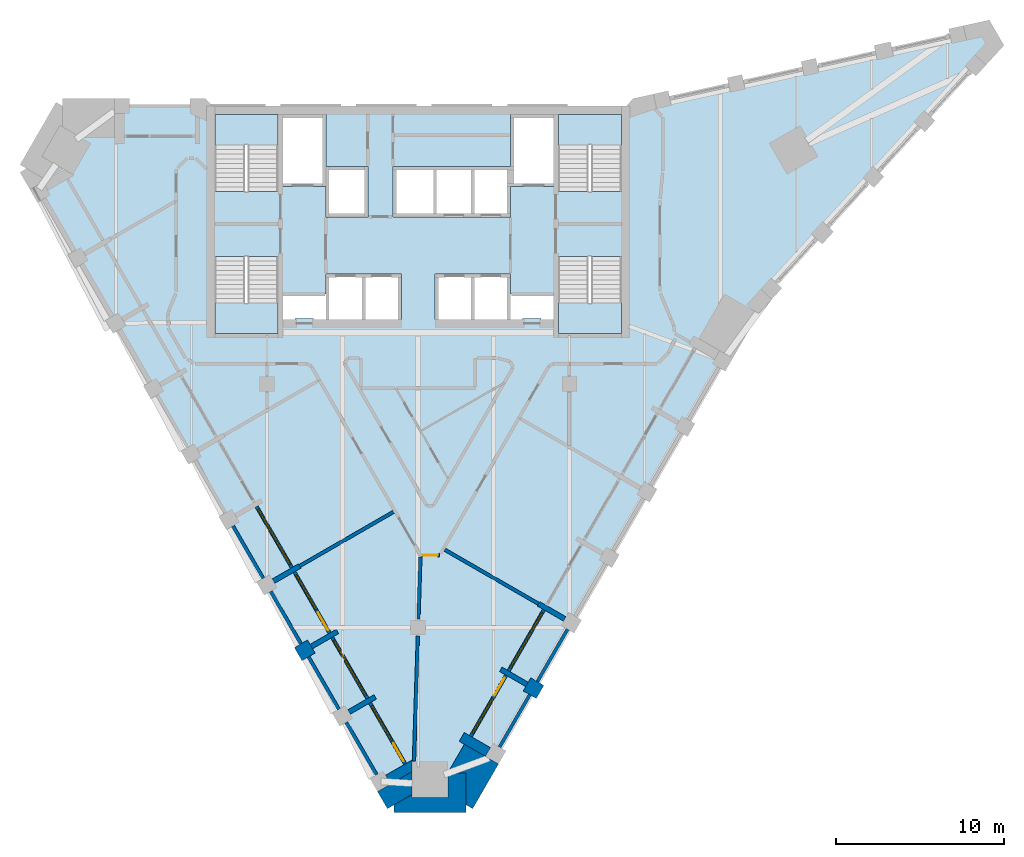
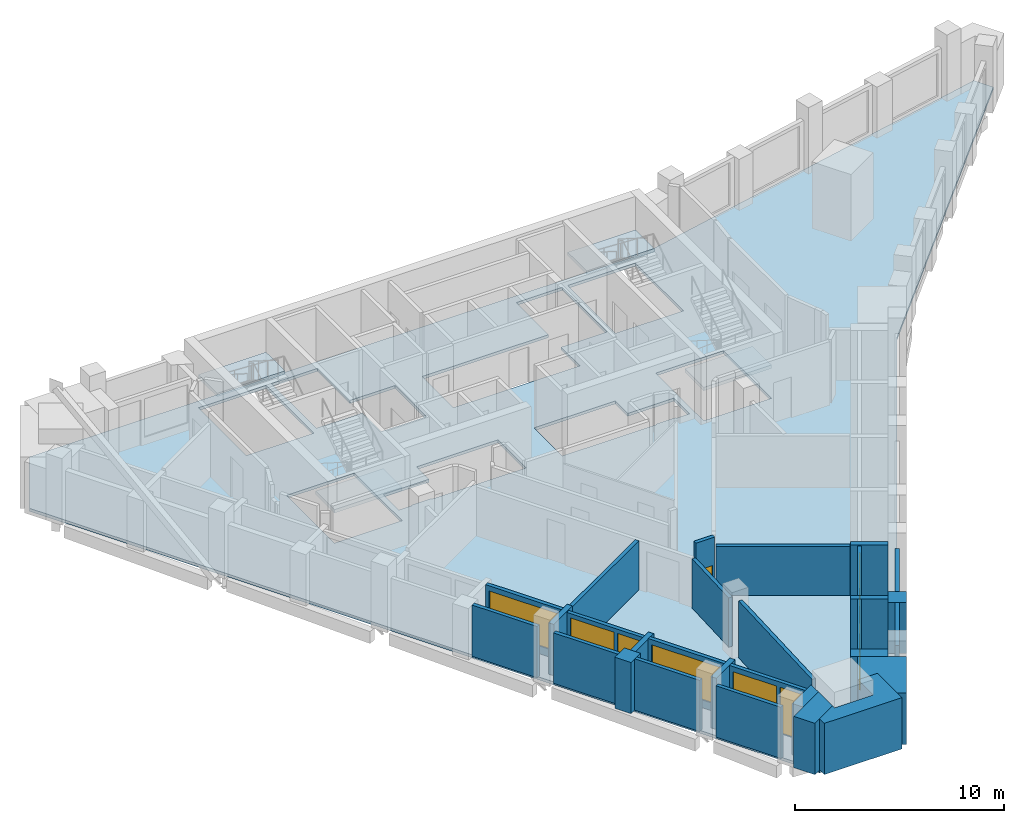
# One storey, part 2 of 8: 29 walls, 6 windows, 5 slabs, 4 doors, 10 openings, 4 elements without a shape of their own.
"""IFC4 building model written with IfcOpenShell, lengths in metres."""

from ifc_helpers import new_model, si_unit, direction, frame, frame_2d, origin, place, context, subcontext, project, spatial, polyline, rectangle, outline, extrude, material, layer, layer_set, type_object, element, fill, aggregate, save


model = new_model("IFC4")

# Units and contexts
model_context = context("Model", 3, precision=1e-05, world=origin(), true_north=direction((0.0, 1.0)))
body_context = subcontext(model_context, "Body", "Model", "MODEL_VIEW")
ifc_project = project(units=[si_unit("LENGTHUNIT", "METRE"), si_unit("AREAUNIT", "SQUARE_METRE"), si_unit("VOLUMEUNIT", "CUBIC_METRE"), si_unit("PLANEANGLEUNIT", "RADIAN"), si_unit("MASSUNIT", "GRAM", prefix="KILO")], contexts=[model_context])

# Site, building, storey
site_placement = place(None, origin())
site = spatial("IfcSite", under=ifc_project, at=site_placement, CompositionType="ELEMENT")
building_placement = place(site_placement, origin())
building = spatial("IfcBuilding", under=site, at=building_placement, Name="Calabash Gate Tower", CompositionType="ELEMENT")
storey_placement = place(building_placement, frame((0.0, 0.0, 279.39990234375)))
storey = spatial("IfcBuildingStorey", under=building, at=storey_placement, Name="L67", CompositionType="ELEMENT", Elevation=279.39990234375)

# Slab
ifc_material_1 = material(Name="Concrete C40/50", Category="concrete")
ifc_layer_1 = layer(ifc_material_1, 0.169921875)
ifc_layer_set_1 = layer_set([ifc_layer_1], Name="Composite floor slab 170 Concrete C40/50")
slab_type_1 = type_object("IfcSlabType", Name="Composite floor slab 170 Concrete C40/50", PredefinedType="FLOOR", material=ifc_layer_set_1)
slab_1_placement = place(storey_placement, frame((0.0, 0.0, -0.169921875)))
element("IfcSlab", 1, at=slab_1_placement, inside=storey, type_object=slab_type_1, Name="Floor slab L67", PredefinedType="FLOOR", context=body_context, shape_type="SweptSolid", body=[
    extrude(outline(polyline([(-23.3173828125, 15.3310546875), (-21.168701171875, 19.052490234375), (12.88134765625, 19.052490234375), (33.783935546875, 23.664794921875), (34.326904296875, 22.724365234375), (19.88134765625, 6.92822265625), (2.8564453125, -22.56005859375), (-1.44091796875, -22.56005859375), (-23.3173828125, 15.3310546875)]), holes=[polyline([(-1.0, 9.052490234375), (-3.25, 9.052490234375), (-5.5, 9.052490234375), (-5.5, 7.8525390625), (-8.050048828125, 7.8525390625), (-8.050048828125, 6.3525390625), (-7.324951171875, 6.3525390625), (-7.324951171875, 6.402587890625), (-6.22509765625, 6.402587890625), (-6.22509765625, 6.3525390625), (-5.5, 6.3525390625), (-3.25, 6.3525390625), (-1.0, 6.3525390625), (-1.0, 9.052490234375)]), polyline([(3.25, 6.3525390625), (5.5, 6.3525390625), (6.22509765625, 6.3525390625), (6.22509765625, 6.402587890625), (7.324951171875, 6.402587890625), (7.324951171875, 6.3525390625), (8.050048828125, 6.3525390625), (8.050048828125, 7.8525390625), (5.5, 7.8525390625), (5.5, 9.052490234375), (3.25, 9.052490234375), (1.0, 9.052490234375), (1.0, 6.3525390625), (3.25, 6.3525390625)]), polyline([(-5.5, 14.252685546875), (-5.5, 12.45263671875), (-3.0, 12.45263671875), (-3.0, 15.45263671875), (-5.5, 15.45263671875), (-5.5, 18.552490234375), (-8.050048828125, 18.552490234375), (-8.050048828125, 14.252685546875), (-5.5, 14.252685546875)]), polyline([(1.0, 15.45263671875), (-1.5, 15.45263671875), (-1.5, 12.45263671875), (1.0, 12.45263671875), (3.25, 12.45263671875), (5.5, 12.45263671875), (5.5, 14.252685546875), (8.050048828125, 14.252685546875), (8.050048828125, 18.552490234375), (5.5, 18.552490234375), (5.5, 15.45263671875), (3.25, 15.45263671875), (1.0, 15.45263671875)]), polyline([(-8.35009765625, 18.552490234375), (-12.10009765625, 18.552490234375), (-12.10009765625, 13.95263671875), (-8.35009765625, 13.95263671875), (-8.35009765625, 18.552490234375)]), polyline([(-12.10009765625, 10.1025390625), (-12.10009765625, 5.502685546875), (-8.35009765625, 5.502685546875), (-8.35009765625, 10.1025390625), (-12.10009765625, 10.1025390625)]), polyline([(8.35009765625, 13.95263671875), (12.10009765625, 13.95263671875), (12.10009765625, 18.552490234375), (8.35009765625, 18.552490234375), (8.35009765625, 13.95263671875)]), polyline([(12.10009765625, 5.502685546875), (12.10009765625, 10.1025390625), (8.35009765625, 10.1025390625), (8.35009765625, 5.502685546875), (12.10009765625, 5.502685546875)])]), origin(), (0.0, 0.0, 1.0), 0.169921875),
])

# Stair, slab
ifc_material_2 = material(Name="Concrete C40/50", Category="concrete")
stair_type = type_object("IfcStairType", Name="Exit stair 22 risers of 177.3 mm", PredefinedType="HALF_TURN_STAIR", material=ifc_material_2)
stair_1_placement = place(storey_placement, origin())
stair_1 = element("IfcStair", 2, at=stair_1_placement, inside=storey, type_object=stair_type, Name="L67 Exit stair ST1", PredefinedType="HALF_TURN_STAIR")
ifc_material_3 = material(Name="Concrete C40/50", Category="concrete")
ifc_layer_2 = layer(ifc_material_3, 0.199951171875)
ifc_layer_set_2 = layer_set([ifc_layer_2], Name="Stair landing SL200")
slab_type_2 = type_object("IfcSlabType", Name="Stair landing SL200", PredefinedType="LANDING", material=ifc_layer_set_2)
slab_2_placement = place(storey_placement, frame((0.0, 0.0, 1.75)))
slab_2 = element("IfcSlab", 3, at=slab_2_placement, type_object=slab_type_2, Name="ST1 landing 1", PredefinedType="LANDING", context=body_context, shape_type="SweptSolid", body=[
    extrude(outline(polyline([(-8.35009765625, 16.74267578125), (-8.35009765625, 18.552490234375), (-12.10009765625, 18.552490234375), (-12.10009765625, 16.74267578125), (-8.35009765625, 16.74267578125)])), origin(), (0.0, 0.0, 1.0), 0.2001953125),
])
aggregate(stair_1, [slab_2])

stair_2_placement = place(storey_placement, origin())
stair_2 = element("IfcStair", 4, at=stair_2_placement, inside=storey, type_object=stair_type, Name="L67 Exit stair ST2", PredefinedType="HALF_TURN_STAIR")
slab_3_placement = place(storey_placement, frame((0.0, 0.0, 1.75)))
slab_3 = element("IfcSlab", 5, at=slab_3_placement, type_object=slab_type_2, Name="ST2 landing 1", PredefinedType="LANDING", context=body_context, shape_type="SweptSolid", body=[
    extrude(outline(polyline([(-12.10009765625, 7.3125), (-12.10009765625, 5.502685546875), (-8.35009765625, 5.502685546875), (-8.35009765625, 7.3125), (-12.10009765625, 7.3125)])), origin(), (0.0, 0.0, 1.0), 0.2001953125),
])
aggregate(stair_2, [slab_3])

stair_3_placement = place(storey_placement, origin())
stair_3 = element("IfcStair", 6, at=stair_3_placement, inside=storey, type_object=stair_type, Name="L67 Exit stair ST3", PredefinedType="HALF_TURN_STAIR")
slab_4_placement = place(storey_placement, frame((0.0, 0.0, 1.75)))
slab_4 = element("IfcSlab", 7, at=slab_4_placement, type_object=slab_type_2, Name="ST3 landing 1", PredefinedType="LANDING", context=body_context, shape_type="SweptSolid", body=[
    extrude(outline(polyline([(12.10009765625, 16.74267578125), (12.10009765625, 18.552490234375), (8.35009765625, 18.552490234375), (8.35009765625, 16.74267578125), (12.10009765625, 16.74267578125)])), origin(), (0.0, 0.0, 1.0), 0.2001953125),
])
aggregate(stair_3, [slab_4])

stair_4_placement = place(storey_placement, origin())
stair_4 = element("IfcStair", 8, at=stair_4_placement, inside=storey, type_object=stair_type, Name="L67 Exit stair ST4", PredefinedType="HALF_TURN_STAIR")
slab_5_placement = place(storey_placement, frame((0.0, 0.0, 1.75)))
slab_5 = element("IfcSlab", 9, at=slab_5_placement, type_object=slab_type_2, Name="ST4 landing 1", PredefinedType="LANDING", context=body_context, shape_type="SweptSolid", body=[
    extrude(outline(polyline([(8.35009765625, 7.3125), (8.35009765625, 5.502685546875), (12.10009765625, 5.502685546875), (12.10009765625, 7.3125), (8.35009765625, 7.3125)])), origin(), (0.0, 0.0, 1.0), 0.2001953125),
])
aggregate(stair_4, [slab_5])

# Walls
ifc_material_4 = material(Name="Terracotta brick masonry, exposed face", Category="masonry")
ifc_layer_3 = layer(ifc_material_4, 2.35009765625)
ifc_layer_set_3 = layer_set([ifc_layer_3], Name="Brick corner mass wall 2350")
wall_type_1 = type_object("IfcWallType", Name="Brick corner mass wall 2350", PredefinedType="SOLIDWALL", material=ifc_layer_set_3)
wall_1_placement = place(storey_placement, origin())
element("IfcWall", 10, at=wall_1_placement, inside=storey, type_object=wall_type_1, Name="Brick corner pier S20 1a", PredefinedType="SOLIDWALL", context=body_context, shape_type="SweptSolid", body=[
    extrude(outline(polyline([(-0.366943359375, -20.6201171875), (-0.383544921875, -20.59130859375), (-1.639404296875, -21.31640625), (-1.639404296875, -21.316650390625), (-2.41845703125, -21.7666015625), (-1.83056640625, -22.78515625), (-0.366943359375, -21.940185546875), (-0.366943359375, -20.6201171875)])), origin(), (0.0, 0.0, 1.0), 3.0),
])
wall_2_placement = place(storey_placement, origin())
element("IfcWall", 11, at=wall_2_placement, inside=storey, type_object=wall_type_1, Name="Brick corner pier S20 1b", PredefinedType="SOLIDWALL", context=body_context, shape_type="SweptSolid", body=[
    extrude(outline(polyline([(-0.366943359375, -22.131103515625), (-0.366943359375, -21.940185546875), (-1.44091796875, -22.56005859375), (-1.44091796875, -23.010009765625), (2.8564453125, -23.010009765625), (2.8564453125, -20.66015625), (1.782958984375, -20.66015625), (1.782958984375, -22.131103515625), (-0.366943359375, -22.131103515625)])), origin(), (0.0, 0.0, 1.0), 3.0),
])
wall_3_placement = place(storey_placement, origin())
element("IfcWall", 12, at=wall_3_placement, inside=storey, type_object=wall_type_1, Name="Brick corner pier S20 1c", PredefinedType="SOLIDWALL", context=body_context, shape_type="SweptSolid", body=[
    extrude(outline(polyline([(1.782958984375, -20.619140625), (1.782958984375, -20.66015625), (2.8564453125, -20.66015625), (2.8564453125, -22.56005859375), (3.24609375, -22.78515625), (4.78369140625, -20.1220703125), (2.74853515625, -18.947021484375), (1.782958984375, -20.619140625)])), origin(), (0.0, 0.0, 1.0), 3.0),
])
ifc_material_5 = material(Name="Terracotta brick masonry, exposed face", Category="masonry")
ifc_layer_4 = layer(ifc_material_5, 0.89990234375)
ifc_layer_set_4 = layer_set([ifc_layer_4], Name="Brick end wall 900")
wall_type_2 = type_object("IfcWallType", Name="Brick end wall 900", PredefinedType="SOLIDWALL", material=ifc_layer_set_4)
wall_4_placement = place(storey_placement, frame((-7.143798828125, -13.582275390625, 0.0), z_axis=(0.0, 0.0, 1.0), x_axis=(0.866081705922, 0.499902469156, 0.0)))
element("IfcWall", 13, at=wall_4_placement, inside=storey, type_object=wall_type_2, Name="Brick pier S20 SW0.7", PredefinedType="SOLIDWALL", context=body_context, shape_type="SweptSolid", body=[
    extrude(rectangle(XDim=0.900146484375, YDim=0.89990234375, at=frame_2d((0.4501953125, 0.0))), origin(), (0.0, 0.0, 1.0), 3.0),
])
wall_5_placement = place(storey_placement, frame((6.479248046875, -15.38525390625, 0.0), z_axis=(0.0, 0.0, 1.0), x_axis=(0.866013897511, -0.50001992892, 0.0)))
element("IfcWall", 14, at=wall_5_placement, inside=storey, type_object=wall_type_2, Name="Brick pier S20 SE2.1", PredefinedType="SOLIDWALL", context=body_context, shape_type="SweptSolid", body=[
    extrude(rectangle(XDim=0.89990234375, YDim=0.89990234375, at=frame_2d((0.449951171875, 0.0))), origin(), (0.0, 0.0, 1.0), 3.0),
])
ifc_material_6 = material(Name="Terracotta brick masonry, exposed face", Category="masonry")
ifc_layer_5 = layer(ifc_material_6, 0.300048828125)
ifc_layer_set_5 = layer_set([ifc_layer_5], Name="Brick loggia cheek wall 300")
wall_type_3 = type_object("IfcWallType", Name="Brick loggia cheek wall 300", PredefinedType="SOLIDWALL", material=ifc_layer_set_5)
wall_6_placement = place(storey_placement, frame((-8.6142578125, -9.235107421875, 0.0), z_axis=(0.0, 0.0, 1.0), x_axis=(0.866047807691, 0.499961193289, 0.0)))
element("IfcWall", 15, at=wall_6_placement, inside=storey, type_object=wall_type_3, Name="Loggia cheek S20 SW0.6", PredefinedType="SOLIDWALL", context=body_context, shape_type="SweptSolid", body=[
    extrude(rectangle(XDim=1.800048828125, YDim=0.300048828125, at=frame_2d((0.89990234375, 0.0))), origin(), (0.0, 0.0, 1.0), 3.0),
])
wall_7_placement = place(storey_placement, frame((-6.3642578125, -13.13232421875, 0.0), z_axis=(0.0, 0.0, 1.0), x_axis=(0.866047807691, 0.499961193289, 0.0)))
element("IfcWall", 16, at=wall_7_placement, inside=storey, type_object=wall_type_3, Name="Loggia cheek S20 SW0.7", PredefinedType="SOLIDWALL", context=body_context, shape_type="SweptSolid", body=[
    extrude(rectangle(XDim=1.800048828125, YDim=0.300048828125, at=frame_2d((0.89990234375, 0.0))), origin(), (0.0, 0.0, 1.0), 2.9501953125),
])
wall_8_placement = place(storey_placement, frame((-4.114013671875, -17.029296875, 0.0), z_axis=(0.0, 0.0, 1.0), x_axis=(0.866013897511, 0.50001992892, 0.0)))
element("IfcWall", 17, at=wall_8_placement, inside=storey, type_object=wall_type_3, Name="Loggia cheek S20 SW0.8", PredefinedType="SOLIDWALL", context=body_context, shape_type="SweptSolid", body=[
    extrude(rectangle(XDim=1.7998046875, YDim=0.300048828125, at=frame_2d((0.89990234375, 0.0))), origin(), (0.0, 0.0, 1.0), 3.0),
])
wall_9_placement = place(storey_placement, origin())
element("IfcWall", 18, at=wall_9_placement, inside=storey, type_object=wall_type_3, Name="Loggia cheek S20 SW0.9", PredefinedType="SOLIDWALL", context=body_context, shape_type="SweptSolid", body=[
    extrude(outline(polyline([(-1.639404296875, -21.316162109375), (-0.366943359375, -20.58154296875), (-0.366943359375, -19.98095703125), (-0.331787109375, -19.98095703125), (-0.380615234375, -19.896728515625), (-1.939453125, -20.796630859375), (-1.639404296875, -21.316162109375)])), origin(), (0.0, 0.0, 1.0), 3.0),
])
wall_10_placement = place(storey_placement, frame((4.154296875, -19.412109375, 0.0), z_axis=(0.0, 0.0, 1.0), x_axis=(-0.866047807691, 0.499961193289, 0.0)))
element("IfcWall", 19, at=wall_10_placement, inside=storey, type_object=wall_type_3, Name="Loggia cheek S20 SE2.0", PredefinedType="SOLIDWALL", context=body_context, shape_type="SweptSolid", body=[
    extrude(rectangle(XDim=1.800048828125, YDim=0.60009765625, at=frame_2d((0.89990234375, 0.0))), origin(), (0.0, 0.0, 1.0), 3.0),
])
for number, where, z_axis, x_axis, name in (
    (20, (6.479248046875, -15.38525390625, 0.0), (0.0, 0.0, 1.0), (-0.865989075817, 0.500062916607, 0.0), "Loggia cheek S20 SE2.1"),
    (21, (8.729248046875, -11.488037109375, 0.0), (0.0, 0.0, 1.0), (-0.866047807691, 0.499961193289, 0.0), "Loggia cheek S20 SE2.2"),
):
    element("IfcWall", number, at=place(storey_placement, frame(where, z_axis=z_axis, x_axis=x_axis)), inside=storey, type_object=wall_type_3, Name=name, PredefinedType="SOLIDWALL", context=body_context, shape_type="SweptSolid", body=[
        extrude(rectangle(XDim=1.800048828125, YDim=0.300048828125, at=frame_2d((0.89990234375, 0.0))), origin(), (0.0, 0.0, 1.0), 3.0),
    ])
ifc_material_7 = material(Name="Gypsum board on steel studs, mineral wool", Category="steel")
ifc_layer_6 = layer(ifc_material_7, 0.199951171875)
ifc_layer_set_6 = layer_set([ifc_layer_6], Name="Partition 200 gypsum board EI 60")
wall_type_4 = type_object("IfcWallType", Name="Partition 200 gypsum board EI 60", PredefinedType="PARTITIONING", material=ifc_layer_set_6)
wall_11_placement = place(storey_placement, frame((-0.251708984375, -19.951904296875, 0.0), z_axis=(0.0, 0.0, 1.0), x_axis=(0.031599714418, 0.999500604326, 0.0)))
element("IfcWall", 22, at=wall_11_placement, inside=storey, type_object=wall_type_4, Name="Partition", PredefinedType="PARTITIONING", context=body_context, shape_type="SweptSolid", body=[
    extrude(rectangle(XDim=7.45556640625, YDim=0.199951171875, at=frame_2d((3.727783203125, 0.0))), origin(), (0.0, 0.0, 1.0), 3.331787109375),
])
wall_12_placement = place(storey_placement, frame((0.015625, -11.5, 0.0), z_axis=(0.0, 0.0, 1.0), x_axis=(0.031312793596, 0.999509634249, 0.0)))
element("IfcWall", 23, at=wall_12_placement, inside=storey, type_object=wall_type_4, Name="Partition", PredefinedType="PARTITIONING", context=body_context, shape_type="SweptSolid", body=[
    extrude(rectangle(XDim=3.711181640625, YDim=0.199951171875, at=frame_2d((1.85546875, 0.0))), origin(), (0.0, 0.0, 1.0), 2.88427734375),
])
wall_13_placement = place(storey_placement, frame((1.583984375, -7.364990234375, 0.0), z_axis=(0.0, 0.0, 1.0), x_axis=(0.866145880339, -0.499791270404, 0.0)))
element("IfcWall", 24, at=wall_13_placement, inside=storey, type_object=wall_type_4, Name="Partition", PredefinedType="PARTITIONING", context=body_context, shape_type="SweptSolid", body=[
    extrude(rectangle(XDim=6.449462890625, YDim=0.199951171875, at=frame_2d((3.224609375, 0.0))), origin(), (0.0, 0.0, 1.0), 2.88427734375),
])

# Wall, opening, door
wall_14_placement = place(storey_placement, frame((0.236083984375, -7.692138671875, 0.0), z_axis=(0.0, 0.0, 1.0), x_axis=(1.0, 0.0, 0.0)))
wall_14 = element("IfcWall", 25, at=wall_14_placement, inside=storey, type_object=wall_type_4, Name="Partition", PredefinedType="PARTITIONING", context=body_context, shape_type="SweptSolid", body=[
    extrude(rectangle(XDim=1.04345703125, YDim=0.199951171875, at=frame_2d((0.521728515625, 0.0))), origin(), (0.0, 0.0, 1.0), 3.72998046875),
])
opening_1_placement = place(wall_14_placement, frame((0.02294921875, 0.0, 0.0)))
opening_1 = element("IfcOpeningElement", 26, at=opening_1_placement, cuts=wall_14, Name="Opening 67-68-010", PredefinedType="OPENING", context=body_context, shape_type="SweptSolid", body=[
    extrude(rectangle(XDim=0.89990234375, YDim=2.10009765625, at=frame_2d((0.449951171875, 1.050048828125))), frame((0.0, 0.10986328125, 0.0), z_axis=(0.0, -1.0, 0.0), x_axis=(1.0, 0.0, 0.0)), (0.0, 0.0, 1.0), 0.219970703125),
])
ifc_material_8 = material(Name="Steel fire door set with fire-resisting glazing", Category="steel")
door_type_1 = type_object("IfcDoorType", Name="SD1 Service room door 900x2100", OperationType="NOTDEFINED", PredefinedType="DOOR", material=ifc_material_8)
door_1_placement = place(opening_1_placement, origin())
door_1 = element("IfcDoor", 27, at=door_1_placement, inside=storey, type_object=door_type_1, Name="Service room door", OperationType="SINGLE_SWING_RIGHT", OverallHeight=2.10009765625, OverallWidth=0.89990234375, PredefinedType="DOOR", context=body_context, shape_type="SweptSolid", body=[
    extrude(rectangle(XDim=0.89990234375, YDim=2.10009765625, at=frame_2d((0.449951171875, 1.050048828125))), frame((0.0, 0.02490234375, 0.0), z_axis=(0.0, -1.0, 0.0), x_axis=(1.0, 0.0, 0.0)), (0.0, 0.0, 1.0), 0.050048828125),
])
fill(opening_1, door_1)

# Walls
wall_15_placement = place(storey_placement, frame((-7.05517578125, -8.335693359375, 0.0), z_axis=(0.0, 0.0, 1.0), x_axis=(0.866129493323, 0.499819668277, 0.0)))
element("IfcWall", 28, at=wall_15_placement, inside=storey, type_object=wall_type_4, Name="Partition", PredefinedType="PARTITIONING", context=body_context, shape_type="SweptSolid", body=[
    extrude(rectangle(XDim=6.44970703125, YDim=0.199951171875, at=frame_2d((3.224853515625, 0.0))), origin(), (0.0, 0.0, 1.0), 2.88427734375),
])
ifc_material_9 = material(Name="Terracotta brick masonry, perforated", Category="masonry")
ifc_layer_7 = layer(ifc_material_9, 0.199951171875)
ifc_layer_set_7 = layer_set([ifc_layer_7], Name="Terracotta jaali screen B")
wall_type_5 = type_object("IfcWallType", Name="Terracotta jaali screen B", PredefinedType="SOLIDWALL", material=ifc_layer_set_7)
wall_16_placement = place(storey_placement, frame((-11.029052734375, -5.952880859375, 0.0), z_axis=(0.0, 0.0, 1.0), x_axis=(0.500012057535, -0.866018442252, 0.0)))
element("IfcWall", 29, at=wall_16_placement, inside=storey, type_object=wall_type_5, Name="SCREEN B S20 SW0.6", PredefinedType="SOLIDWALL", context=body_context, shape_type="SweptSolid", body=[
    extrude(rectangle(XDim=3.60009765625, YDim=0.199951171875, at=frame_2d((1.800048828125, 0.0))), origin(), (0.0, 0.0, 1.0), 3.0),
])
wall_17_placement = place(storey_placement, frame((-8.779052734375, -9.849853515625, 0.0), z_axis=(0.0, 0.0, 1.0), x_axis=(0.500012057535, -0.866018442252, 0.0)))
element("IfcWall", 30, at=wall_17_placement, inside=storey, type_object=wall_type_5, Name="SCREEN B S20 SW0.7", PredefinedType="SOLIDWALL", context=body_context, shape_type="SweptSolid", body=[
    extrude(rectangle(XDim=3.60009765625, YDim=0.199951171875, at=frame_2d((1.800048828125, 0.0))), origin(), (0.0, 0.0, 1.0), 2.9501953125),
])
for number, where, z_axis, x_axis, name in (
    (31, (-6.529052734375, -13.7470703125, 0.0), (0.0, 0.0, 1.0), (0.500012057535, -0.866018442252, 0.0), "SCREEN B S20 SW0.8"),
    (32, (-4.279052734375, -17.64404296875, 0.0), (0.0, 0.0, 1.0), (0.500012057535, -0.866018442252, 0.0), "SCREEN B S20 SW0.9"),
    (33, (4.843994140625, -19.11767578125, 0.0), (0.0, 0.0, 1.0), (0.500012057535, 0.866018442252, 0.0), "SCREEN B S20 SE2.1"),
    (34, (7.093994140625, -15.220458984375, 0.0), (0.0, 0.0, 1.0), (0.500012057535, 0.866018442252, 0.0), "SCREEN B S20 SE2.2"),
):
    element("IfcWall", number, at=place(storey_placement, frame(where, z_axis=z_axis, x_axis=x_axis)), inside=storey, type_object=wall_type_5, Name=name, PredefinedType="SOLIDWALL", context=body_context, shape_type="SweptSolid", body=[
        extrude(rectangle(XDim=3.60009765625, YDim=0.199951171875, at=frame_2d((1.800048828125, 0.0))), origin(), (0.0, 0.0, 1.0), 3.0),
    ])

# Wall, opening, window
ifc_material_10 = material(Name="Aluminium framed window wall with insulated spandrel", Category="aluminium")
ifc_layer_8 = layer(ifc_material_10, 0.199951171875)
ifc_layer_set_8 = layer_set([ifc_layer_8], Name="Window wall 200")
wall_type_6 = type_object("IfcWallType", Name="Window wall 200", PredefinedType="ELEMENTEDWALL", material=ifc_layer_set_8)
wall_18_placement = place(storey_placement, frame((-9.6201171875, -4.79296875, 0.0), z_axis=(0.0, 0.0, 1.0), x_axis=(0.49998411664, -0.866034573852, 0.0)))
wall_18 = element("IfcWall", 35, at=wall_18_placement, inside=storey, type_object=wall_type_6, Name="Window wall S20 SW0.6", PredefinedType="ELEMENTEDWALL", context=body_context, shape_type="SweptSolid", body=[
    extrude(rectangle(XDim=4.199951171875, YDim=0.199951171875, at=frame_2d((2.10009765625, 0.0))), origin(), (0.0, 0.0, 1.0), 3.0),
])
opening_2_placement = place(wall_18_placement, frame((0.199951171875, 0.0, 0.449951171875)))
opening_2 = element("IfcOpeningElement", 36, at=opening_2_placement, cuts=wall_18, Name="Opening OW2", PredefinedType="OPENING", context=body_context, shape_type="SweptSolid", body=[
    extrude(rectangle(XDim=3.800048828125, YDim=2.25, at=frame_2d((1.89990234375, 1.125))), frame((0.0, 0.10986328125, 0.0), z_axis=(0.0, -1.0, 0.0), x_axis=(1.0, 0.0, 0.0)), (0.0, 0.0, 1.0), 0.219970703125),
])
ifc_material_11 = material(Name="Anodised aluminium frame, bronze finish, impact-rated laminated clear glazing", Category="aluminium")
window_type_1 = type_object("IfcWindowType", Name="Window OW2 3800x2250", PartitioningType="TRIPLE_PANEL_VERTICAL", PredefinedType="WINDOW", material=ifc_material_11)
window_1_placement = place(opening_2_placement, origin())
window_1 = element("IfcWindow", 37, at=window_1_placement, inside=storey, type_object=window_type_1, Name="Window OW2 S20 SW0.6", OverallHeight=2.25, OverallWidth=3.800048828125, PartitioningType="SINGLE_PANEL", PredefinedType="WINDOW", context=body_context, shape_type="SweptSolid", body=[
    extrude(rectangle(XDim=3.800048828125, YDim=2.25, at=frame_2d((1.89990234375, 1.125))), frame((0.0, 0.030029296875, 0.0), z_axis=(0.0, -1.0, 0.0), x_axis=(1.0, 0.0, 0.0)), (0.0, 0.0, 1.0), 0.06005859375),
])
fill(opening_2, window_1)

# Wall, openings, door, window
wall_19_placement = place(storey_placement, frame((-7.3701171875, -8.690185546875, 0.0), z_axis=(0.0, 0.0, 1.0), x_axis=(0.49998411664, -0.866034573852, 0.0)))
wall_19 = element("IfcWall", 38, at=wall_19_placement, inside=storey, type_object=wall_type_6, Name="Window wall S20 SW0.7", PredefinedType="ELEMENTEDWALL", context=body_context, shape_type="SweptSolid", body=[
    extrude(rectangle(XDim=4.199951171875, YDim=0.199951171875, at=frame_2d((2.10009765625, 0.0))), origin(), (0.0, 0.0, 1.0), 2.9501953125),
])
opening_3_placement = place(wall_19_placement, frame((0.199951171875, 0.0, 0.449951171875)))
opening_3 = element("IfcOpeningElement", 39, at=opening_3_placement, cuts=wall_19, Name="Opening OW1", PredefinedType="OPENING", context=body_context, shape_type="SweptSolid", body=[
    extrude(rectangle(XDim=2.39990234375, YDim=2.25, at=frame_2d((1.199951171875, 1.125))), frame((0.0, 0.10986328125, 0.0), z_axis=(0.0, -1.0, 0.0), x_axis=(1.0, 0.0, 0.0)), (0.0, 0.0, 1.0), 0.219970703125),
])
opening_4_placement = place(wall_19_placement, frame((2.800048828125, 0.0, 0.0)))
opening_4 = element("IfcOpeningElement", 40, at=opening_4_placement, cuts=wall_19, Name="Opening O12-018", PredefinedType="OPENING", context=body_context, shape_type="SweptSolid", body=[
    extrude(rectangle(XDim=1.199951171875, YDim=2.699951171875, at=frame_2d((0.60009765625, 1.35009765625))), frame((0.0, 0.10986328125, 0.0), z_axis=(0.0, -1.0, 0.0), x_axis=(1.0, 0.0, 0.0)), (0.0, 0.0, 1.0), 0.219970703125),
])
ifc_material_12 = material(Name="Anodised aluminium frame, bronze finish, impact-rated laminated clear glazing", Category="aluminium")
door_type_2 = type_object("IfcDoorType", Name="Loggia door DO1 1200x2700", OperationType="SLIDING_TO_LEFT", PredefinedType="DOOR", material=ifc_material_12)
door_2_placement = place(opening_4_placement, origin())
door_2 = element("IfcDoor", 41, at=door_2_placement, inside=storey, type_object=door_type_2, Name="Loggia door S20 SW0.7", OperationType="SINGLE_SWING_LEFT", OverallHeight=2.699951171875, OverallWidth=1.199951171875, PredefinedType="DOOR", context=body_context, shape_type="SweptSolid", body=[
    extrude(rectangle(XDim=1.199951171875, YDim=2.699951171875, at=frame_2d((0.60009765625, 1.35009765625))), frame((0.0, 0.02490234375, 0.0), z_axis=(0.0, -1.0, 0.0), x_axis=(1.0, 0.0, 0.0)), (0.0, 0.0, 1.0), 0.050048828125),
])
fill(opening_4, door_2)
ifc_material_13 = material(Name="Anodised aluminium frame, bronze finish, impact-rated laminated clear glazing", Category="aluminium")
window_type_2 = type_object("IfcWindowType", Name="Window OW1 2400x2250", PartitioningType="DOUBLE_PANEL_VERTICAL", PredefinedType="WINDOW", material=ifc_material_13)
window_2_placement = place(opening_3_placement, origin())
window_2 = element("IfcWindow", 42, at=window_2_placement, inside=storey, type_object=window_type_2, Name="Window OW1 S20 SW0.7", OverallHeight=2.25, OverallWidth=2.39990234375, PartitioningType="SINGLE_PANEL", PredefinedType="WINDOW", context=body_context, shape_type="SweptSolid", body=[
    extrude(rectangle(XDim=2.39990234375, YDim=2.25, at=frame_2d((1.199951171875, 1.125))), frame((0.0, 0.030029296875, 0.0), z_axis=(0.0, -1.0, 0.0), x_axis=(1.0, 0.0, 0.0)), (0.0, 0.0, 1.0), 0.06005859375),
])
fill(opening_3, window_2)

# Wall, opening, window
wall_20_placement = place(storey_placement, frame((-5.1201171875, -12.587158203125, 0.0), z_axis=(0.0, 0.0, 1.0), x_axis=(0.499958946799, -0.866049104564, 0.0)))
wall_20 = element("IfcWall", 43, at=wall_20_placement, inside=storey, type_object=wall_type_6, Name="Window wall S20 SW0.8", PredefinedType="ELEMENTEDWALL", context=body_context, shape_type="SweptSolid", body=[
    extrude(rectangle(XDim=4.199951171875, YDim=0.199951171875, at=frame_2d((2.10009765625, 0.0))), origin(), (0.0, 0.0, 1.0), 3.0),
])
opening_5_placement = place(wall_20_placement, frame((0.199951171875, 0.0, 0.449951171875)))
opening_5 = element("IfcOpeningElement", 44, at=opening_5_placement, cuts=wall_20, Name="Opening OW2", PredefinedType="OPENING", context=body_context, shape_type="SweptSolid", body=[
    extrude(rectangle(XDim=3.800048828125, YDim=2.25, at=frame_2d((1.89990234375, 1.125))), frame((0.0, 0.10986328125, 0.0), z_axis=(0.0, -1.0, 0.0), x_axis=(1.0, 0.0, 0.0)), (0.0, 0.0, 1.0), 0.219970703125),
])
window_3_placement = place(opening_5_placement, origin())
window_3 = element("IfcWindow", 45, at=window_3_placement, inside=storey, type_object=window_type_1, Name="Window OW2 S20 SW0.8", OverallHeight=2.25, OverallWidth=3.800048828125, PartitioningType="SINGLE_PANEL", PredefinedType="WINDOW", context=body_context, shape_type="SweptSolid", body=[
    extrude(rectangle(XDim=3.800048828125, YDim=2.25, at=frame_2d((1.89990234375, 1.125))), frame((0.0, 0.030029296875, 0.0), z_axis=(0.0, -1.0, 0.0), x_axis=(1.0, 0.0, 0.0)), (0.0, 0.0, 1.0), 0.06005859375),
])
fill(opening_5, window_3)

# Wall, openings, door, window
wall_21_placement = place(storey_placement, frame((-2.8701171875, -16.484375, 0.0), z_axis=(0.0, 0.0, 1.0), x_axis=(0.49998411664, -0.866034573852, 0.0)))
wall_21 = element("IfcWall", 46, at=wall_21_placement, inside=storey, type_object=wall_type_6, Name="Window wall S20 SW0.9", PredefinedType="ELEMENTEDWALL", context=body_context, shape_type="SweptSolid", body=[
    extrude(rectangle(XDim=4.199951171875, YDim=0.199951171875, at=frame_2d((2.10009765625, 0.0))), origin(), (0.0, 0.0, 1.0), 3.0),
])
opening_6_placement = place(wall_21_placement, frame((0.199951171875, 0.0, 0.449951171875)))
opening_6 = element("IfcOpeningElement", 47, at=opening_6_placement, cuts=wall_21, Name="Opening OW1", PredefinedType="OPENING", context=body_context, shape_type="SweptSolid", body=[
    extrude(rectangle(XDim=2.39990234375, YDim=2.25, at=frame_2d((1.199951171875, 1.125))), frame((0.0, 0.10986328125, 0.0), z_axis=(0.0, -1.0, 0.0), x_axis=(1.0, 0.0, 0.0)), (0.0, 0.0, 1.0), 0.219970703125),
])
opening_7_placement = place(wall_21_placement, frame((2.800048828125, 0.0, 0.0)))
opening_7 = element("IfcOpeningElement", 48, at=opening_7_placement, cuts=wall_21, Name="Opening O12-019", PredefinedType="OPENING", context=body_context, shape_type="SweptSolid", body=[
    extrude(rectangle(XDim=1.199951171875, YDim=2.699951171875, at=frame_2d((0.60009765625, 1.35009765625))), frame((0.0, 0.10986328125, 0.0), z_axis=(0.0, -1.0, 0.0), x_axis=(1.0, 0.0, 0.0)), (0.0, 0.0, 1.0), 0.219970703125),
])
door_3_placement = place(opening_7_placement, origin())
door_3 = element("IfcDoor", 49, at=door_3_placement, inside=storey, type_object=door_type_2, Name="Loggia door S20 SW0.9", OperationType="SINGLE_SWING_LEFT", OverallHeight=2.699951171875, OverallWidth=1.199951171875, PredefinedType="DOOR", context=body_context, shape_type="SweptSolid", body=[
    extrude(rectangle(XDim=1.199951171875, YDim=2.699951171875, at=frame_2d((0.60009765625, 1.35009765625))), frame((0.0, 0.02490234375, 0.0), z_axis=(0.0, -1.0, 0.0), x_axis=(1.0, 0.0, 0.0)), (0.0, 0.0, 1.0), 0.050048828125),
])
fill(opening_7, door_3)
window_4_placement = place(opening_6_placement, origin())
window_4 = element("IfcWindow", 50, at=window_4_placement, inside=storey, type_object=window_type_2, Name="Window OW1 S20 SW0.9", OverallHeight=2.25, OverallWidth=2.39990234375, PartitioningType="SINGLE_PANEL", PredefinedType="WINDOW", context=body_context, shape_type="SweptSolid", body=[
    extrude(rectangle(XDim=2.39990234375, YDim=2.25, at=frame_2d((1.199951171875, 1.125))), frame((0.0, 0.030029296875, 0.0), z_axis=(0.0, -1.0, 0.0), x_axis=(1.0, 0.0, 0.0)), (0.0, 0.0, 1.0), 0.06005859375),
])
fill(opening_6, window_4)

wall_22_placement = place(storey_placement, frame((3.135009765625, -18.477294921875, 0.0), z_axis=(0.0, 0.0, 1.0), x_axis=(0.500027713859, 0.866009402589, 0.0)))
wall_22 = element("IfcWall", 51, at=wall_22_placement, inside=storey, type_object=wall_type_6, Name="Window wall S20 SE2.1", PredefinedType="ELEMENTEDWALL", context=body_context, shape_type="SweptSolid", body=[
    extrude(rectangle(XDim=4.199951171875, YDim=0.199951171875, at=frame_2d((2.10009765625, 0.0))), origin(), (0.0, 0.0, 1.0), 3.0),
])
opening_8_placement = place(wall_22_placement, frame((0.199951171875, 0.0, 0.449951171875)))
opening_8 = element("IfcOpeningElement", 52, at=opening_8_placement, cuts=wall_22, Name="Opening OW1", PredefinedType="OPENING", context=body_context, shape_type="SweptSolid", body=[
    extrude(rectangle(XDim=2.39990234375, YDim=2.25, at=frame_2d((1.199951171875, 1.125))), frame((0.0, 0.10986328125, 0.0), z_axis=(0.0, -1.0, 0.0), x_axis=(1.0, 0.0, 0.0)), (0.0, 0.0, 1.0), 0.219970703125),
])
opening_9_placement = place(wall_22_placement, frame((2.800048828125, 0.0, 0.0)))
opening_9 = element("IfcOpeningElement", 53, at=opening_9_placement, cuts=wall_22, Name="Opening O12-014", PredefinedType="OPENING", context=body_context, shape_type="SweptSolid", body=[
    extrude(rectangle(XDim=1.199951171875, YDim=2.699951171875, at=frame_2d((0.60009765625, 1.35009765625))), frame((0.0, 0.10986328125, 0.0), z_axis=(0.0, -1.0, 0.0), x_axis=(1.0, 0.0, 0.0)), (0.0, 0.0, 1.0), 0.219970703125),
])
door_4_placement = place(opening_9_placement, origin())
door_4 = element("IfcDoor", 54, at=door_4_placement, inside=storey, type_object=door_type_2, Name="Loggia door S20 SE2.1", OperationType="SINGLE_SWING_LEFT", OverallHeight=2.699951171875, OverallWidth=1.199951171875, PredefinedType="DOOR", context=body_context, shape_type="SweptSolid", body=[
    extrude(rectangle(XDim=1.199951171875, YDim=2.699951171875, at=frame_2d((0.60009765625, 1.35009765625))), frame((0.0, 0.02490234375, 0.0), z_axis=(0.0, -1.0, 0.0), x_axis=(1.0, 0.0, 0.0)), (0.0, 0.0, 1.0), 0.050048828125),
])
fill(opening_9, door_4)
window_5_placement = place(opening_8_placement, origin())
window_5 = element("IfcWindow", 55, at=window_5_placement, inside=storey, type_object=window_type_2, Name="Window OW1 S20 SE2.1", OverallHeight=2.25, OverallWidth=2.39990234375, PartitioningType="SINGLE_PANEL", PredefinedType="WINDOW", context=body_context, shape_type="SweptSolid", body=[
    extrude(rectangle(XDim=2.39990234375, YDim=2.25, at=frame_2d((1.199951171875, 1.125))), frame((0.0, 0.030029296875, 0.0), z_axis=(0.0, -1.0, 0.0), x_axis=(1.0, 0.0, 0.0)), (0.0, 0.0, 1.0), 0.06005859375),
])
fill(opening_8, window_5)

# Wall, opening, window
wall_23_placement = place(storey_placement, frame((5.385009765625, -14.580322265625, 0.0), z_axis=(0.0, 0.0, 1.0), x_axis=(0.500002543286, 0.866023935413, 0.0)))
wall_23 = element("IfcWall", 56, at=wall_23_placement, inside=storey, type_object=wall_type_6, Name="Window wall S20 SE2.2", PredefinedType="ELEMENTEDWALL", context=body_context, shape_type="SweptSolid", body=[
    extrude(rectangle(XDim=4.2001953125, YDim=0.199951171875, at=frame_2d((2.10009765625, 0.0))), origin(), (0.0, 0.0, 1.0), 2.9501953125),
])
opening_10_placement = place(wall_23_placement, frame((0.199951171875, 0.0, 0.449951171875)))
opening_10 = element("IfcOpeningElement", 57, at=opening_10_placement, cuts=wall_23, Name="Opening OW2", PredefinedType="OPENING", context=body_context, shape_type="SweptSolid", body=[
    extrude(rectangle(XDim=3.800048828125, YDim=2.25, at=frame_2d((1.89990234375, 1.125))), frame((0.0, 0.10986328125, 0.0), z_axis=(0.0, -1.0, 0.0), x_axis=(1.0, 0.0, 0.0)), (0.0, 0.0, 1.0), 0.219970703125),
])
window_6_placement = place(opening_10_placement, origin())
window_6 = element("IfcWindow", 58, at=window_6_placement, inside=storey, type_object=window_type_1, Name="Window OW2 S20 SE2.2", OverallHeight=2.25, OverallWidth=3.800048828125, PartitioningType="SINGLE_PANEL", PredefinedType="WINDOW", context=body_context, shape_type="SweptSolid", body=[
    extrude(rectangle(XDim=3.800048828125, YDim=2.25, at=frame_2d((1.89990234375, 1.125))), frame((0.0, 0.030029296875, 0.0), z_axis=(0.0, -1.0, 0.0), x_axis=(1.0, 0.0, 0.0)), (0.0, 0.0, 1.0), 0.06005859375),
])
fill(opening_10, window_6)

save(model, "model.ifc")
